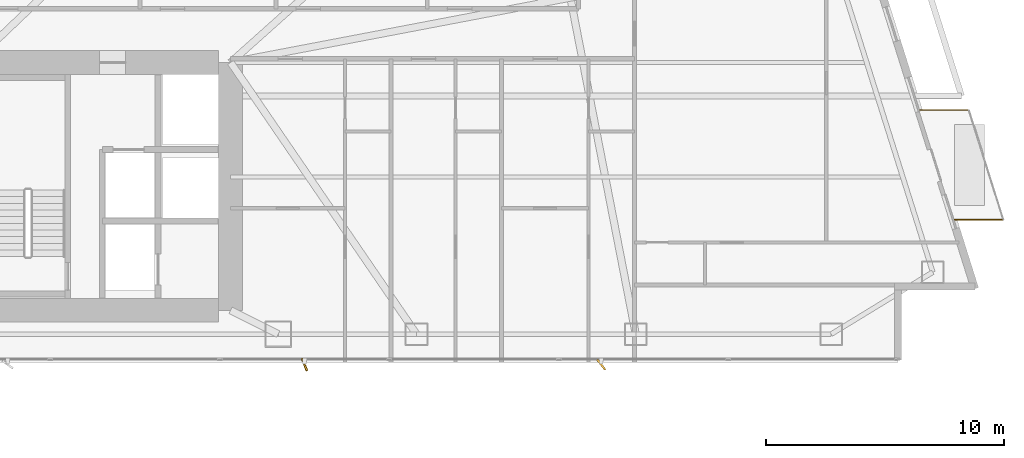
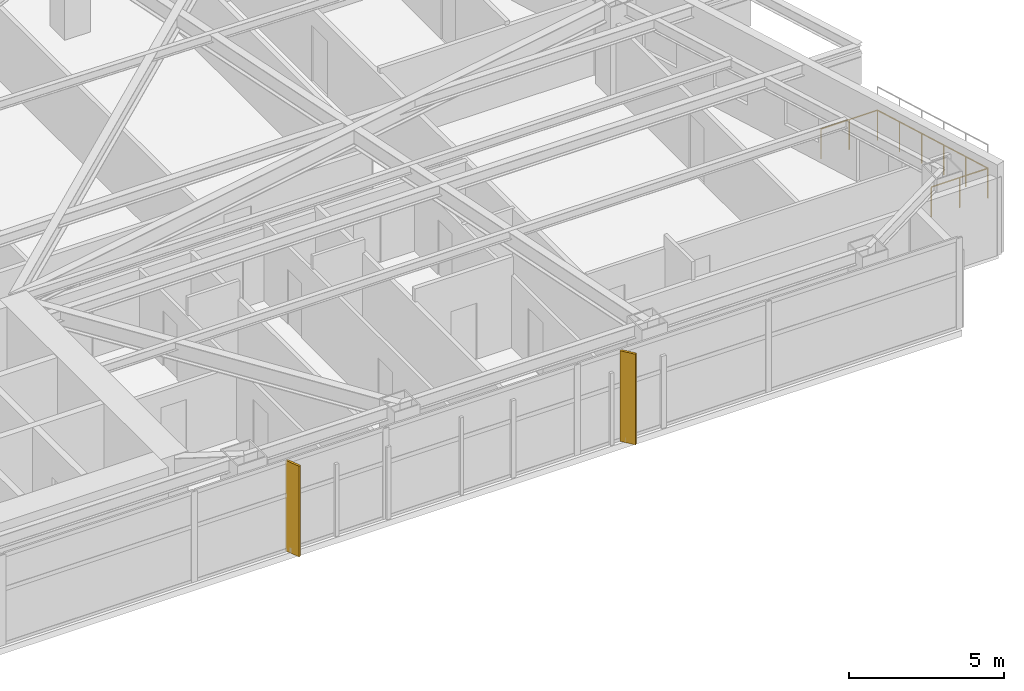
# One storey, part 29 of 30: 2 shading devices, 1 railing.
"""IFC4 building model written with IfcOpenShell, lengths in metres."""

from ifc_helpers import new_model, si_unit, direction, frame, origin, origin_2d, place, context, subcontext, project, spatial, rectangle, circle, extrude, material, type_object, element, save


model = new_model("IFC4")

# Units and contexts
model_context = context("Model", 3, precision=1e-05, world=origin(), true_north=direction((0.0, 1.0)))
body_context = subcontext(model_context, "Body", "Model", "MODEL_VIEW")
ifc_project = project(units=[si_unit("LENGTHUNIT", "METRE"), si_unit("AREAUNIT", "SQUARE_METRE"), si_unit("VOLUMEUNIT", "CUBIC_METRE"), si_unit("PLANEANGLEUNIT", "RADIAN"), si_unit("MASSUNIT", "GRAM", prefix="KILO")], contexts=[model_context])

# Site, building, storey
site_placement = place(None, origin())
site = spatial("IfcSite", under=ifc_project, at=site_placement, CompositionType="ELEMENT")
building_placement = place(site_placement, origin())
building = spatial("IfcBuilding", under=site, at=building_placement, Name="Calvorn Quay Hotel", CompositionType="ELEMENT")
storey_placement = place(building_placement, frame((0.0, 0.0, 54.60009765625)))
storey = spatial("IfcBuildingStorey", under=building, at=storey_placement, Name="L12", CompositionType="ELEMENT", Elevation=54.60009765625)

# Railing
ifc_material_1 = material(Name="Pale Anodised Aluminium and Laminated Glass", Category="aluminium")
railing_type = type_object("IfcRailingType", Name="RLG-BALUSTRADE-1200", PredefinedType="BALUSTRADE", material=ifc_material_1)
railing_placement = place(storey_placement, frame((62.72802734375, 8.39990234375, 0.0)))
element("IfcRailing", 1, at=railing_placement, inside=storey, type_object=railing_type, Name="Tree Balcony Perimeter Balustrade L12-BALC-E", PredefinedType="BALUSTRADE", context=body_context, shape_type="SweptSolid", body=[
    extrude(circle(Radius=0.02392578125, at=origin_2d()), frame((0.0, 0.0, 1.17578125), z_axis=(1.0, 0.0, 0.0), x_axis=(0.0, 1.0, 0.0)), (0.0, 0.0, 1.0), 2.099853515625),
    extrude(circle(Radius=0.02392578125, at=origin_2d()), frame((2.099853515625, 0.0, 1.17578125), z_axis=(-0.300620172346, 0.953743944662, 0.0), x_axis=(-0.953743944662, -0.300620172346, 0.0)), (0.0, 0.0, 1.0), 4.8232421875),
    extrude(circle(Radius=0.02392578125, at=origin_2d()), frame((0.64990234375, 4.60009765625, 1.17578125), z_axis=(-1.0, 0.0, 0.0), x_axis=(0.0, -1.0, 0.0)), (0.0, 0.0, 1.0), 2.099853515625),
    extrude(circle(Radius=0.02099609375, at=origin_2d()), origin(), (0.0, 0.0, 1.0), 1.15185546875),
    extrude(circle(Radius=0.02099609375, at=origin_2d()), frame((1.0498046875, 0.0, 0.0)), (0.0, 0.0, 1.0), 1.15185546875),
    extrude(circle(Radius=0.02099609375, at=origin_2d()), frame((2.099853515625, 0.0, 0.0)), (0.0, 0.0, 1.0), 1.15185546875),
    extrude(circle(Radius=0.02099609375, at=origin_2d()), frame((1.809814453125, 0.919921875, 0.0)), (0.0, 0.0, 1.0), 1.15185546875),
    extrude(circle(Radius=0.02099609375, at=origin_2d()), frame((1.519775390625, 1.840087890625, 0.0)), (0.0, 0.0, 1.0), 1.15185546875),
    extrude(circle(Radius=0.02099609375, at=origin_2d()), frame((1.22998046875, 2.760009765625, 0.0)), (0.0, 0.0, 1.0), 1.15185546875),
    extrude(circle(Radius=0.02099609375, at=origin_2d()), frame((0.93994140625, 3.68017578125, 0.0)), (0.0, 0.0, 1.0), 1.15185546875),
    extrude(circle(Radius=0.02099609375, at=origin_2d()), frame((0.64990234375, 4.60009765625, 0.0)), (0.0, 0.0, 1.0), 1.15185546875),
    extrude(circle(Radius=0.02099609375, at=origin_2d()), frame((-0.39990234375, 4.60009765625, 0.0)), (0.0, 0.0, 1.0), 1.15185546875),
    extrude(circle(Radius=0.02099609375, at=origin_2d()), frame((-1.449951171875, 4.60009765625, 0.0)), (0.0, 0.0, 1.0), 1.15185546875),
])

# Shading devices
ifc_material_2 = material(Name="Champagne Bronze Anodised Aluminium 6063-T6", Category="aluminium")
shading_device_type_1 = type_object("IfcShadingDeviceType", Name="SHD-FIN-A1", PredefinedType="USERDEFINED", material=ifc_material_2)
shading_device_1_placement = place(storey_placement, frame((35.5, 2.320068359375, -0.000244140625), z_axis=(0.0, 0.0, 1.0), x_axis=(-0.374606593416, 0.927183854567, 0.0)))
element("IfcShadingDevice", 2, at=shading_device_1_placement, inside=storey, type_object=shading_device_type_1, Name="Diagonal Sun-Shading Fin L12-S02", ObjectType="FIN", PredefinedType="USERDEFINED", context=body_context, shape_type="SweptSolid", body=[
    extrude(rectangle(XDim=0.550048828125, YDim=0.080078125, at=origin_2d()), origin(), (0.0, 0.0, 1.0), 3.56005859375),
])
ifc_material_3 = material(Name="Champagne Bronze Anodised Aluminium 6063-T6", Category="aluminium")
shading_device_type_2 = type_object("IfcShadingDeviceType", Name="SHD-FIN-A2", PredefinedType="USERDEFINED", material=ifc_material_3)
shading_device_2_placement = place(storey_placement, frame((47.949951171875, 2.320068359375, -0.000244140625), z_axis=(0.0, 0.0, 1.0), x_axis=(-0.615661475326, 0.788010753607, 0.0)))
element("IfcShadingDevice", 3, at=shading_device_2_placement, inside=storey, type_object=shading_device_type_2, Name="Diagonal Sun-Shading Fin L12-S03", ObjectType="FIN", PredefinedType="USERDEFINED", context=body_context, shape_type="SweptSolid", body=[
    extrude(rectangle(XDim=0.550048828125, YDim=0.080078125, at=origin_2d()), origin(), (0.0, 0.0, 1.0), 3.56005859375),
])

save(model, "model.ifc")
